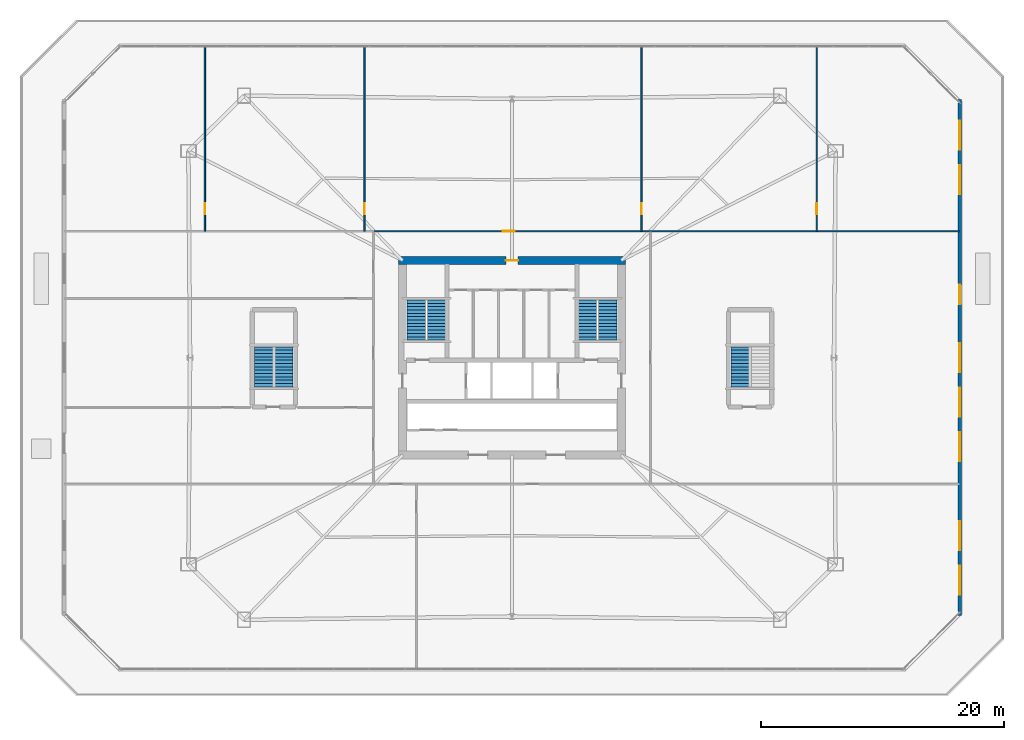
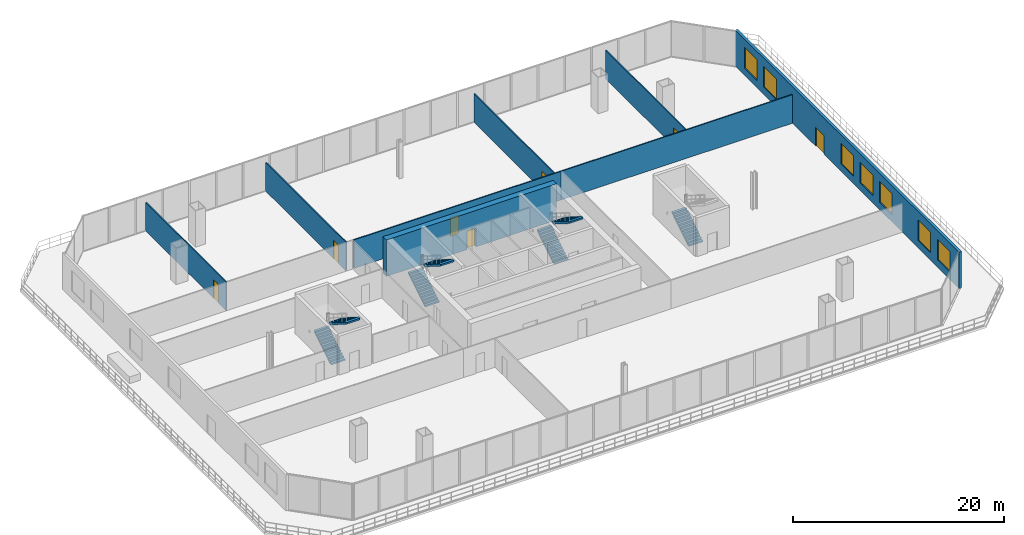
# One storey, part 27 of 31: 8 walls, 7 doors, 7 stair flights, 7 windows, 14 openings, 4 elements without a shape of their own.
"""IFC4 building model written with IfcOpenShell, lengths in metres."""

from ifc_helpers import new_model, si_unit, direction, frame, frame_2d, origin, place, context, subcontext, project, spatial, polyline, rectangle, outline, extrude, material, layer, layer_set, type_object, element, fill, aggregate, save


model = new_model("IFC4")

# Units and contexts
model_context = context("Model", 3, precision=1e-05, world=origin(), true_north=direction((0.0, 1.0)))
body_context = subcontext(model_context, "Body", "Model", "MODEL_VIEW")
ifc_project = project(units=[si_unit("LENGTHUNIT", "METRE"), si_unit("AREAUNIT", "SQUARE_METRE"), si_unit("VOLUMEUNIT", "CUBIC_METRE"), si_unit("PLANEANGLEUNIT", "RADIAN"), si_unit("MASSUNIT", "GRAM", prefix="KILO")], contexts=[model_context])

# Site, building, storey
site_placement = place(None, origin())
site = spatial("IfcSite", under=ifc_project, at=site_placement, CompositionType="ELEMENT")
building_placement = place(site_placement, origin())
building = spatial("IfcBuilding", under=site, at=building_placement, Name="Caelvoria Tower", CompositionType="ELEMENT")
storey_placement = place(building_placement, frame((0.0, 0.0, 9.5)))
storey = spatial("IfcBuildingStorey", under=building, at=storey_placement, Name="L02", CompositionType="ELEMENT", Elevation=9.5)

# Wall, openings, windows, door
ifc_material_1 = material(Name="Precast Concrete C40/50 with Bronze Cladding", Category="concrete")
ifc_layer_1 = layer(ifc_material_1, 0.280029296875, Name="Precast Concrete C40/50 with Bronze Cladding")
ifc_layer_set_1 = layer_set([ifc_layer_1], Name="Exterior Precast Concrete C40/50 Bronze-Clad Facade Wall 280 - Precast Concrete C40/50 with Bronze Cladding")
wall_type_1 = type_object("IfcWallType", Name="Exterior Precast Concrete C40/50 Bronze-Clad Facade Wall 280", PredefinedType="STANDARD", material=ifc_layer_set_1)
wall_1_placement = place(storey_placement, frame((82.860107421875, 10.760009765625, 0.0), z_axis=(0.0, 0.0, 1.0), x_axis=(0.0, 1.0, 0.0)))
wall_1 = element("IfcWall", 1, at=wall_1_placement, inside=storey, type_object=wall_type_1, Name="Exterior Facade Wall L02-E2", PredefinedType="STANDARD", context=body_context, shape_type="SweptSolid", body=[
    extrude(rectangle(XDim=42.47998046875, YDim=0.280029296875, at=frame_2d((21.239990234375, 0.0))), origin(), (0.0, 0.0, 1.0), 4.2099609375),
])
opening_1_placement = place(wall_1_placement, frame((25.639892578125, 0.0, 0.0)))
opening_1 = element("IfcOpeningElement", 2, at=opening_1_placement, cuts=wall_1, Name="Opening ED-03", PredefinedType="OPENING", context=body_context, shape_type="SweptSolid", body=[
    extrude(rectangle(XDim=1.60009765625, YDim=2.14990234375, at=frame_2d((0.800048828125, 1.074951171875))), frame((0.0, 0.14990234375, 0.0), z_axis=(0.0, -1.0, 0.0), x_axis=(1.0, 0.0, 0.0)), (0.0, 0.0, 1.0), 0.300048828125),
])
opening_2_placement = place(wall_1_placement, frame((1.73095703125, 0.0, 0.85009765625)))
opening_2 = element("IfcOpeningElement", 3, at=opening_2_placement, cuts=wall_1, Name="Opening WN-04", PredefinedType="OPENING", context=body_context, shape_type="SweptSolid", body=[
    extrude(rectangle(XDim=2.39990234375, YDim=2.39990234375, at=frame_2d((1.199951171875, 1.199951171875))), frame((0.0, 0.14990234375, 0.0), z_axis=(0.0, -1.0, 0.0), x_axis=(1.0, 0.0, 0.0)), (0.0, 0.0, 1.0), 0.300048828125),
])
opening_3_placement = place(wall_1_placement, frame((5.392578125, 0.0, 0.85009765625)))
opening_3 = element("IfcOpeningElement", 4, at=opening_3_placement, cuts=wall_1, Name="Opening WN-04", PredefinedType="OPENING", context=body_context, shape_type="SweptSolid", body=[
    extrude(rectangle(XDim=2.39990234375, YDim=2.39990234375, at=frame_2d((1.199951171875, 1.199951171875))), frame((0.0, 0.14990234375, 0.0), z_axis=(0.0, -1.0, 0.0), x_axis=(1.0, 0.0, 0.0)), (0.0, 0.0, 1.0), 0.300048828125),
])
opening_4_placement = place(wall_1_placement, frame((12.71630859375, 0.0, 0.85009765625)))
opening_4 = element("IfcOpeningElement", 5, at=opening_4_placement, cuts=wall_1, Name="Opening WN-04", PredefinedType="OPENING", context=body_context, shape_type="SweptSolid", body=[
    extrude(rectangle(XDim=2.39990234375, YDim=2.39990234375, at=frame_2d((1.199951171875, 1.199951171875))), frame((0.0, 0.14990234375, 0.0), z_axis=(0.0, -1.0, 0.0), x_axis=(1.0, 0.0, 0.0)), (0.0, 0.0, 1.0), 0.300048828125),
])
opening_5_placement = place(wall_1_placement, frame((16.378173828125, 0.0, 0.85009765625)))
opening_5 = element("IfcOpeningElement", 6, at=opening_5_placement, cuts=wall_1, Name="Opening WN-04", PredefinedType="OPENING", context=body_context, shape_type="SweptSolid", body=[
    extrude(rectangle(XDim=2.39990234375, YDim=2.39990234375, at=frame_2d((1.199951171875, 1.199951171875))), frame((0.0, 0.14990234375, 0.0), z_axis=(0.0, -1.0, 0.0), x_axis=(1.0, 0.0, 0.0)), (0.0, 0.0, 1.0), 0.300048828125),
])
opening_6_placement = place(wall_1_placement, frame((20.0400390625, 0.0, 0.85009765625)))
opening_6 = element("IfcOpeningElement", 7, at=opening_6_placement, cuts=wall_1, Name="Opening WN-04", PredefinedType="OPENING", context=body_context, shape_type="SweptSolid", body=[
    extrude(rectangle(XDim=2.39990234375, YDim=2.39990234375, at=frame_2d((1.199951171875, 1.199951171875))), frame((0.0, 0.14990234375, 0.0), z_axis=(0.0, -1.0, 0.0), x_axis=(1.0, 0.0, 0.0)), (0.0, 0.0, 1.0), 0.300048828125),
])
opening_7_placement = place(wall_1_placement, frame((34.687255859375, 0.0, 0.85009765625)))
opening_7 = element("IfcOpeningElement", 8, at=opening_7_placement, cuts=wall_1, Name="Opening WN-04", PredefinedType="OPENING", context=body_context, shape_type="SweptSolid", body=[
    extrude(rectangle(XDim=2.39990234375, YDim=2.39990234375, at=frame_2d((1.199951171875, 1.199951171875))), frame((0.0, 0.14990234375, 0.0), z_axis=(0.0, -1.0, 0.0), x_axis=(1.0, 0.0, 0.0)), (0.0, 0.0, 1.0), 0.300048828125),
])
opening_8_placement = place(wall_1_placement, frame((38.34912109375, 0.0, 0.85009765625)))
opening_8 = element("IfcOpeningElement", 9, at=opening_8_placement, cuts=wall_1, Name="Opening WN-04", PredefinedType="OPENING", context=body_context, shape_type="SweptSolid", body=[
    extrude(rectangle(XDim=2.39990234375, YDim=2.39990234375, at=frame_2d((1.199951171875, 1.199951171875))), frame((0.0, 0.14990234375, 0.0), z_axis=(0.0, -1.0, 0.0), x_axis=(1.0, 0.0, 0.0)), (0.0, 0.0, 1.0), 0.300048828125),
])
ifc_material_2 = material(Name="Low-E Tinted Glass in Bronze Aluminium Frame", Category="aluminium")
window_type = type_object("IfcWindowType", Name="Podium Commercial Ribbon Window 2400x2400", PartitioningType="SINGLE_PANEL", PredefinedType="WINDOW", material=ifc_material_2)
window_1_placement = place(opening_2_placement, origin())
window_1 = element("IfcWindow", 10, at=window_1_placement, inside=storey, type_object=window_type, Name="Facade Window L02-E2-00", OverallHeight=2.39990234375, OverallWidth=2.39990234375, PartitioningType="SINGLE_PANEL", PredefinedType="WINDOW", context=body_context, shape_type="SweptSolid", body=[
    extrude(rectangle(XDim=2.39990234375, YDim=2.39990234375, at=frame_2d((1.199951171875, 1.199951171875))), frame((0.0, 0.030029296875, 0.0), z_axis=(0.0, -1.0, 0.0), x_axis=(1.0, 0.0, 0.0)), (0.0, 0.0, 1.0), 0.06005859375),
])
fill(opening_2, window_1)
window_2_placement = place(opening_3_placement, origin())
window_2 = element("IfcWindow", 11, at=window_2_placement, inside=storey, type_object=window_type, Name="Facade Window L02-E2-01", OverallHeight=2.39990234375, OverallWidth=2.39990234375, PartitioningType="SINGLE_PANEL", PredefinedType="WINDOW", context=body_context, shape_type="SweptSolid", body=[
    extrude(rectangle(XDim=2.39990234375, YDim=2.39990234375, at=frame_2d((1.199951171875, 1.199951171875))), frame((0.0, 0.030029296875, 0.0), z_axis=(0.0, -1.0, 0.0), x_axis=(1.0, 0.0, 0.0)), (0.0, 0.0, 1.0), 0.06005859375),
])
fill(opening_3, window_2)
window_3_placement = place(opening_4_placement, origin())
window_3 = element("IfcWindow", 12, at=window_3_placement, inside=storey, type_object=window_type, Name="Facade Window L02-E2-03", OverallHeight=2.39990234375, OverallWidth=2.39990234375, PartitioningType="SINGLE_PANEL", PredefinedType="WINDOW", context=body_context, shape_type="SweptSolid", body=[
    extrude(rectangle(XDim=2.39990234375, YDim=2.39990234375, at=frame_2d((1.199951171875, 1.199951171875))), frame((0.0, 0.030029296875, 0.0), z_axis=(0.0, -1.0, 0.0), x_axis=(1.0, 0.0, 0.0)), (0.0, 0.0, 1.0), 0.06005859375),
])
fill(opening_4, window_3)
window_4_placement = place(opening_5_placement, origin())
window_4 = element("IfcWindow", 13, at=window_4_placement, inside=storey, type_object=window_type, Name="Facade Window L02-E2-04", OverallHeight=2.39990234375, OverallWidth=2.39990234375, PartitioningType="SINGLE_PANEL", PredefinedType="WINDOW", context=body_context, shape_type="SweptSolid", body=[
    extrude(rectangle(XDim=2.39990234375, YDim=2.39990234375, at=frame_2d((1.199951171875, 1.199951171875))), frame((0.0, 0.030029296875, 0.0), z_axis=(0.0, -1.0, 0.0), x_axis=(1.0, 0.0, 0.0)), (0.0, 0.0, 1.0), 0.06005859375),
])
fill(opening_5, window_4)
window_5_placement = place(opening_6_placement, origin())
window_5 = element("IfcWindow", 14, at=window_5_placement, inside=storey, type_object=window_type, Name="Facade Window L02-E2-05", OverallHeight=2.39990234375, OverallWidth=2.39990234375, PartitioningType="SINGLE_PANEL", PredefinedType="WINDOW", context=body_context, shape_type="SweptSolid", body=[
    extrude(rectangle(XDim=2.39990234375, YDim=2.39990234375, at=frame_2d((1.199951171875, 1.199951171875))), frame((0.0, 0.030029296875, 0.0), z_axis=(0.0, -1.0, 0.0), x_axis=(1.0, 0.0, 0.0)), (0.0, 0.0, 1.0), 0.06005859375),
])
fill(opening_6, window_5)
window_6_placement = place(opening_7_placement, origin())
window_6 = element("IfcWindow", 15, at=window_6_placement, inside=storey, type_object=window_type, Name="Facade Window L02-E2-09", OverallHeight=2.39990234375, OverallWidth=2.39990234375, PartitioningType="SINGLE_PANEL", PredefinedType="WINDOW", context=body_context, shape_type="SweptSolid", body=[
    extrude(rectangle(XDim=2.39990234375, YDim=2.39990234375, at=frame_2d((1.199951171875, 1.199951171875))), frame((0.0, 0.030029296875, 0.0), z_axis=(0.0, -1.0, 0.0), x_axis=(1.0, 0.0, 0.0)), (0.0, 0.0, 1.0), 0.06005859375),
])
fill(opening_7, window_6)
window_7_placement = place(opening_8_placement, origin())
window_7 = element("IfcWindow", 16, at=window_7_placement, inside=storey, type_object=window_type, Name="Facade Window L02-E2-10", OverallHeight=2.39990234375, OverallWidth=2.39990234375, PartitioningType="SINGLE_PANEL", PredefinedType="WINDOW", context=body_context, shape_type="SweptSolid", body=[
    extrude(rectangle(XDim=2.39990234375, YDim=2.39990234375, at=frame_2d((1.199951171875, 1.199951171875))), frame((0.0, 0.030029296875, 0.0), z_axis=(0.0, -1.0, 0.0), x_axis=(1.0, 0.0, 0.0)), (0.0, 0.0, 1.0), 0.06005859375),
])
fill(opening_8, window_7)
ifc_material_3 = material(Name="Anodised Bronze Aluminium and Laminated Glass", Category="aluminium")
door_type_1 = type_object("IfcDoorType", Name="Terrace Garden Double Glazed Door 1600x2150", OperationType="NOTDEFINED", PredefinedType="DOOR", material=ifc_material_3)
door_1_placement = place(opening_1_placement, origin())
door_1 = element("IfcDoor", 17, at=door_1_placement, inside=storey, type_object=door_type_1, Name="Terrace Roof Garden Door L02-E", OperationType="DOUBLE_DOOR_SINGLE_SWING", OverallHeight=2.14990234375, OverallWidth=1.60009765625, PredefinedType="DOOR", context=body_context, shape_type="SweptSolid", body=[
    extrude(rectangle(XDim=1.60009765625, YDim=2.14990234375, at=frame_2d((0.800048828125, 1.074951171875))), frame((0.0, 0.02490234375, 0.0), z_axis=(0.0, -1.0, 0.0), x_axis=(1.0, 0.0, 0.0)), (0.0, 0.0, 1.0), 0.050048828125),
])
fill(opening_1, door_1)

# Wall, opening, door
ifc_material_4 = material(Name="Concrete C60/75", Category="concrete")
ifc_layer_2 = layer(ifc_material_4, 0.64990234375, Name="Concrete C60/75")
ifc_layer_set_2 = layer_set([ifc_layer_2], Name="Lower Core Shear Wall 650 - Concrete C60/75")
wall_type_2 = type_object("IfcWallType", Name="Lower Core Shear Wall 650", PredefinedType="SHEAR", material=ifc_layer_set_2)
wall_2_placement = place(storey_placement, frame((36.675048828125, 40.0, 0.0), z_axis=(0.0, 0.0, 1.0), x_axis=(1.0, 0.0, 0.0)))
wall_2 = element("IfcWall", 18, at=wall_2_placement, inside=storey, type_object=wall_type_2, Name="Core Shear Wall L02 N", PredefinedType="SHEAR", context=body_context, shape_type="SweptSolid", body=[
    extrude(rectangle(XDim=18.64990234375, YDim=0.64990234375, at=frame_2d((9.324951171875, 0.0))), origin(), (0.0, 0.0, 1.0), 4.219970703125),
])
opening_9_placement = place(wall_2_placement, frame((8.824951171875, 0.0, 0.0)))
opening_9 = element("IfcOpeningElement", 19, at=opening_9_placement, cuts=wall_2, Name="Opening ID-03", PredefinedType="OPENING", context=body_context, shape_type="SweptSolid", body=[
    extrude(rectangle(XDim=1.0, YDim=2.14990234375, at=frame_2d((0.5, 1.074951171875))), frame((0.0, 0.3349609375, 0.0), z_axis=(0.0, -1.0, 0.0), x_axis=(1.0, 0.0, 0.0)), (0.0, 0.0, 1.0), 0.669921875),
])
ifc_material_5 = material(Name="Painted Hollow Steel Fire Door", Category="steel")
door_type_2 = type_object("IfcDoorType", Name="Fire Door FD60S 1000x2150", OperationType="NOTDEFINED", PredefinedType="DOOR", material=ifc_material_5)
door_2_placement = place(opening_9_placement, origin())
door_2 = element("IfcDoor", 20, at=door_2_placement, inside=storey, type_object=door_type_2, Name="Core Door DR-L02-WC-MAIN", OperationType="SINGLE_SWING_RIGHT", OverallHeight=2.14990234375, OverallWidth=1.0, PredefinedType="DOOR", context=body_context, shape_type="SweptSolid", body=[
    extrude(rectangle(XDim=1.0, YDim=2.14990234375, at=frame_2d((0.5, 1.074951171875))), frame((0.0, 0.02490234375, 0.0), z_axis=(0.0, -1.0, 0.0), x_axis=(1.0, 0.0, 0.0)), (0.0, 0.0, 1.0), 0.050048828125),
])
fill(opening_9, door_2)

ifc_material_6 = material(Name="Acoustic Gypsum Board on Light-Gauge Stud", Category="gypsum")
ifc_layer_3 = layer(ifc_material_6, 0.1201171875, Name="Acoustic Gypsum Board on Light-Gauge Stud")
ifc_layer_set_3 = layer_set([ifc_layer_3], Name="Tenant Suite Acoustic Partition Wall 120 - Acoustic Gypsum Board on Light-Gauge Stud")
wall_type_3 = type_object("IfcWallType", Name="Tenant Suite Acoustic Partition Wall 120", PredefinedType="PARTITIONING", material=ifc_layer_set_3)
wall_3_placement = place(storey_placement, frame((20.721923828125, 42.409912109375, 0.0), z_axis=(0.0, 0.0, 1.0), x_axis=(0.0, 1.0, 0.0)))
wall_3 = element("IfcWall", 21, at=wall_3_placement, inside=storey, type_object=wall_type_3, Name="Interior Partition IW-L02-ND-00-0", PredefinedType="PARTITIONING", context=body_context, shape_type="SweptSolid", body=[
    extrude(rectangle(XDim=15.210205078125, YDim=0.1201171875, at=frame_2d((7.60498046875, 0.0))), origin(), (0.0, 0.0, 1.0), 3.31005859375),
])
opening_10_placement = place(wall_3_placement, frame((1.39990234375, 0.0, 0.0)))
opening_10 = element("IfcOpeningElement", 22, at=opening_10_placement, cuts=wall_3, Name="Opening ID-06", PredefinedType="OPENING", context=body_context, shape_type="SweptSolid", body=[
    extrude(rectangle(XDim=0.89990234375, YDim=2.14990234375, at=frame_2d((0.449951171875, 1.074951171875))), frame((0.0, 0.070068359375, 0.0), z_axis=(0.0, -1.0, 0.0), x_axis=(1.0, 0.0, 0.0)), (0.0, 0.0, 1.0), 0.14013671875),
])
ifc_material_7 = material(Name="Engineered Andean Oak Veneer Door", Category="wood")
door_type_3 = type_object("IfcDoorType", Name="Interior Timber Door 900x2150", OperationType="NOTDEFINED", PredefinedType="DOOR", material=ifc_material_7)
door_3_placement = place(opening_10_placement, origin())
door_3 = element("IfcDoor", 23, at=door_3_placement, inside=storey, type_object=door_type_3, Name="Interior Door DR-L02-NM-00-0", OperationType="SINGLE_SWING_RIGHT", OverallHeight=2.14990234375, OverallWidth=0.89990234375, PredefinedType="DOOR", context=body_context, shape_type="SweptSolid", body=[
    extrude(rectangle(XDim=0.89990234375, YDim=2.14990234375, at=frame_2d((0.449951171875, 1.074951171875))), frame((0.0, 0.02490234375, 0.0), z_axis=(0.0, -1.0, 0.0), x_axis=(1.0, 0.0, 0.0)), (0.0, 0.0, 1.0), 0.050048828125),
])
fill(opening_10, door_3)

wall_4_placement = place(storey_placement, frame((33.867431640625, 42.409912109375, 0.0), z_axis=(0.0, 0.0, 1.0), x_axis=(0.0, 1.0, 0.0)))
wall_4 = element("IfcWall", 24, at=wall_4_placement, inside=storey, type_object=wall_type_3, Name="Interior Partition IW-L02-ND-01-0", PredefinedType="PARTITIONING", context=body_context, shape_type="SweptSolid", body=[
    extrude(rectangle(XDim=15.210205078125, YDim=0.1201171875, at=frame_2d((7.60498046875, 0.0))), origin(), (0.0, 0.0, 1.0), 3.31005859375),
])
opening_11_placement = place(wall_4_placement, frame((1.39990234375, 0.0, 0.0)))
opening_11 = element("IfcOpeningElement", 25, at=opening_11_placement, cuts=wall_4, Name="Opening ID-06", PredefinedType="OPENING", context=body_context, shape_type="SweptSolid", body=[
    extrude(rectangle(XDim=0.89990234375, YDim=2.14990234375, at=frame_2d((0.449951171875, 1.074951171875))), frame((0.0, 0.070068359375, 0.0), z_axis=(0.0, -1.0, 0.0), x_axis=(1.0, 0.0, 0.0)), (0.0, 0.0, 1.0), 0.14013671875),
])
door_4_placement = place(opening_11_placement, origin())
door_4 = element("IfcDoor", 26, at=door_4_placement, inside=storey, type_object=door_type_3, Name="Interior Door DR-L02-NM-01-0", OperationType="SINGLE_SWING_LEFT", OverallHeight=2.14990234375, OverallWidth=0.89990234375, PredefinedType="DOOR", context=body_context, shape_type="SweptSolid", body=[
    extrude(rectangle(XDim=0.89990234375, YDim=2.14990234375, at=frame_2d((0.449951171875, 1.074951171875))), frame((0.0, 0.02490234375, 0.0), z_axis=(0.0, -1.0, 0.0), x_axis=(1.0, 0.0, 0.0)), (0.0, 0.0, 1.0), 0.050048828125),
])
fill(opening_11, door_4)

wall_5_placement = place(storey_placement, frame((56.674072265625, 42.409912109375, 0.0), z_axis=(0.0, 0.0, 1.0), x_axis=(0.0, 1.0, 0.0)))
wall_5 = element("IfcWall", 27, at=wall_5_placement, inside=storey, type_object=wall_type_3, Name="Interior Partition IW-L02-ND-02-0", PredefinedType="PARTITIONING", context=body_context, shape_type="SweptSolid", body=[
    extrude(rectangle(XDim=15.210205078125, YDim=0.1201171875, at=frame_2d((7.60498046875, 0.0))), origin(), (0.0, 0.0, 1.0), 3.31005859375),
])
opening_12_placement = place(wall_5_placement, frame((1.39990234375, 0.0, 0.0)))
opening_12 = element("IfcOpeningElement", 28, at=opening_12_placement, cuts=wall_5, Name="Opening ID-06", PredefinedType="OPENING", context=body_context, shape_type="SweptSolid", body=[
    extrude(rectangle(XDim=0.89990234375, YDim=2.14990234375, at=frame_2d((0.449951171875, 1.074951171875))), frame((0.0, 0.070068359375, 0.0), z_axis=(0.0, -1.0, 0.0), x_axis=(1.0, 0.0, 0.0)), (0.0, 0.0, 1.0), 0.14013671875),
])
door_5_placement = place(opening_12_placement, origin())
door_5 = element("IfcDoor", 29, at=door_5_placement, inside=storey, type_object=door_type_3, Name="Interior Door DR-L02-NM-02-0", OperationType="SINGLE_SWING_RIGHT", OverallHeight=2.14990234375, OverallWidth=0.89990234375, PredefinedType="DOOR", context=body_context, shape_type="SweptSolid", body=[
    extrude(rectangle(XDim=0.89990234375, YDim=2.14990234375, at=frame_2d((0.449951171875, 1.074951171875))), frame((0.0, 0.02490234375, 0.0), z_axis=(0.0, -1.0, 0.0), x_axis=(1.0, 0.0, 0.0)), (0.0, 0.0, 1.0), 0.050048828125),
])
fill(opening_12, door_5)

wall_6_placement = place(storey_placement, frame((71.086669921875, 42.409912109375, 0.0), z_axis=(0.0, 0.0, 1.0), x_axis=(0.0, 1.0, 0.0)))
wall_6 = element("IfcWall", 30, at=wall_6_placement, inside=storey, type_object=wall_type_3, Name="Interior Partition IW-L02-ND-03-0", PredefinedType="PARTITIONING", context=body_context, shape_type="SweptSolid", body=[
    extrude(rectangle(XDim=15.210205078125, YDim=0.1201171875, at=frame_2d((7.60498046875, 0.0))), origin(), (0.0, 0.0, 1.0), 3.31005859375),
])
opening_13_placement = place(wall_6_placement, frame((1.39990234375, 0.0, 0.0)))
opening_13 = element("IfcOpeningElement", 31, at=opening_13_placement, cuts=wall_6, Name="Opening ID-06", PredefinedType="OPENING", context=body_context, shape_type="SweptSolid", body=[
    extrude(rectangle(XDim=0.89990234375, YDim=2.14990234375, at=frame_2d((0.449951171875, 1.074951171875))), frame((0.0, 0.070068359375, 0.0), z_axis=(0.0, -1.0, 0.0), x_axis=(1.0, 0.0, 0.0)), (0.0, 0.0, 1.0), 0.14013671875),
])
door_6_placement = place(opening_13_placement, origin())
door_6 = element("IfcDoor", 32, at=door_6_placement, inside=storey, type_object=door_type_3, Name="Interior Door DR-L02-NM-03-0", OperationType="SINGLE_SWING_LEFT", OverallHeight=2.14990234375, OverallWidth=0.89990234375, PredefinedType="DOOR", context=body_context, shape_type="SweptSolid", body=[
    extrude(rectangle(XDim=0.89990234375, YDim=2.14990234375, at=frame_2d((0.449951171875, 1.074951171875))), frame((0.0, 0.02490234375, 0.0), z_axis=(0.0, -1.0, 0.0), x_axis=(1.0, 0.0, 0.0)), (0.0, 0.0, 1.0), 0.050048828125),
])
fill(opening_13, door_6)

wall_7_placement = place(storey_placement, frame((34.64990234375, 42.409912109375, 0.0), z_axis=(0.0, 0.0, 1.0), x_axis=(1.0, 0.0, 0.0)))
wall_7 = element("IfcWall", 33, at=wall_7_placement, inside=storey, type_object=wall_type_3, Name="Interior Partition IW-L02-NCW-0", PredefinedType="PARTITIONING", context=body_context, shape_type="SweptSolid", body=[
    extrude(rectangle(XDim=22.7001953125, YDim=0.1201171875, at=frame_2d((11.35009765625, 0.0))), origin(), (0.0, 0.0, 1.0), 3.31005859375),
])
opening_14_placement = place(wall_7_placement, frame((10.607177734375, 0.0, 0.0)))
opening_14 = element("IfcOpeningElement", 34, at=opening_14_placement, cuts=wall_7, Name="Opening ID-05", PredefinedType="OPENING", context=body_context, shape_type="SweptSolid", body=[
    extrude(rectangle(XDim=0.949951171875, YDim=2.14990234375, at=frame_2d((0.47509765625, 1.074951171875))), frame((0.0, 0.070068359375, 0.0), z_axis=(0.0, -1.0, 0.0), x_axis=(1.0, 0.0, 0.0)), (0.0, 0.0, 1.0), 0.14013671875),
])
door_type_4 = type_object("IfcDoorType", Name="Interior Timber Door 950x2150", OperationType="NOTDEFINED", PredefinedType="DOOR", material=ifc_material_7)
door_7_placement = place(opening_14_placement, origin())
door_7 = element("IfcDoor", 35, at=door_7_placement, inside=storey, type_object=door_type_4, Name="Interior Door DR-L02-NC-02-0", OperationType="SINGLE_SWING_LEFT", OverallHeight=2.14990234375, OverallWidth=0.949951171875, PredefinedType="DOOR", context=body_context, shape_type="SweptSolid", body=[
    extrude(rectangle(XDim=0.949951171875, YDim=2.14990234375, at=frame_2d((0.47509765625, 1.074951171875))), frame((0.0, 0.02490234375, 0.0), z_axis=(0.0, -1.0, 0.0), x_axis=(1.0, 0.0, 0.0)), (0.0, 0.0, 1.0), 0.050048828125),
])
fill(opening_14, door_7)

# Wall
wall_8_placement = place(storey_placement, frame((57.35009765625, 42.409912109375, 0.0), z_axis=(0.0, 0.0, 1.0), x_axis=(1.0, 0.0, 0.0)))
element("IfcWall", 36, at=wall_8_placement, inside=storey, type_object=wall_type_3, Name="Interior Partition IW-L02-BNE-0", PredefinedType="PARTITIONING", context=body_context, shape_type="SweptSolid", body=[
    extrude(rectangle(XDim=25.469970703125, YDim=0.1201171875, at=frame_2d((12.73486328125, 0.0))), origin(), (0.0, 0.0, 1.0), 3.31005859375),
])

# Stair, stair flights
ifc_material_8 = material(Name="Concrete C40/50", Category="concrete")
stair_type = type_object("IfcStairType", Name="Core Smokeproof Dogleg Stair Concrete C40/50", PredefinedType="HALF_TURN_STAIR", material=ifc_material_8)
stair_1_placement = place(storey_placement, origin())
stair_1 = element("IfcStair", 37, at=stair_1_placement, inside=storey, type_object=stair_type, Name="ST-01 Smokeproof Exit Stair L02", PredefinedType="HALF_TURN_STAIR")
ifc_material_9 = material(Name="Precast Concrete C40/50", Category="concrete")
stair_flight_type = type_object("IfcStairFlightType", Name="Precast Concrete C40/50 Stair Flight 1480", PredefinedType="STRAIGHT", material=ifc_material_9)
stair_flight_1_placement = place(storey_placement, frame((38.1298828125, 33.449951171875, 0.0), z_axis=(0.0, 0.0, 1.0), x_axis=(0.0, 1.0, 0.0)))
stair_flight_1 = element("IfcStairFlight", 38, at=stair_flight_1_placement, type_object=stair_flight_type, Name="ST-01 flight 1", NumberOfRisers=13, NumberOfTreads=12, PredefinedType="STRAIGHT", RiserHeight=0.1731, TreadLength=0.275, context=body_context, shape_type="SweptSolid", body=[
    extrude(outline(polyline([(0.0, 0.0), (0.0, 0.173095703125), (0.27490234375, 0.173095703125), (0.27490234375, 0.34619140625), (0.550048828125, 0.34619140625), (0.550048828125, 0.519287109375), (0.824951171875, 0.519287109375), (0.824951171875, 0.6923828125), (1.10009765625, 0.6923828125), (1.10009765625, 0.865478515625), (1.375, 0.865478515625), (1.375, 1.03857421875), (1.64990234375, 1.03857421875), (1.64990234375, 1.211669921875), (1.925048828125, 1.211669921875), (1.925048828125, 1.384765625), (2.199951171875, 1.384765625), (2.199951171875, 1.557861328125), (2.47509765625, 1.557861328125), (2.47509765625, 1.73095703125), (2.75, 1.73095703125), (2.75, 1.904052734375), (3.02490234375, 1.904052734375), (3.02490234375, 2.0771484375), (3.300048828125, 2.0771484375), (3.300048828125, 2.250244140625), (3.300048828125, 1.88818359375), (0.30029296875, 0.0), (0.0, 0.0)])), frame((0.0, 0.77001953125, 0.0), z_axis=(0.0, -1.0, 0.0), x_axis=(1.0, 0.0, 0.0)), (0.0, 0.0, 1.0), 1.5400390625),
])
stair_flight_2_placement = place(storey_placement, frame((39.77001953125, 36.75, 2.25), z_axis=(0.0, 0.0, 1.0), x_axis=(0.0, -1.0, 0.0)))
stair_flight_2 = element("IfcStairFlight", 39, at=stair_flight_2_placement, type_object=stair_flight_type, Name="ST-01 flight 2", NumberOfRisers=13, NumberOfTreads=12, PredefinedType="STRAIGHT", RiserHeight=0.1731, TreadLength=0.275, context=body_context, shape_type="SweptSolid", body=[
    extrude(outline(polyline([(0.0, 0.0), (0.0, 0.173095703125), (0.27490234375, 0.173095703125), (0.27490234375, 0.34619140625), (0.550048828125, 0.34619140625), (0.550048828125, 0.519287109375), (0.824951171875, 0.519287109375), (0.824951171875, 0.6923828125), (1.10009765625, 0.6923828125), (1.10009765625, 0.865478515625), (1.375, 0.865478515625), (1.375, 1.03857421875), (1.64990234375, 1.03857421875), (1.64990234375, 1.211669921875), (1.925048828125, 1.211669921875), (1.925048828125, 1.384765625), (2.199951171875, 1.384765625), (2.199951171875, 1.557861328125), (2.47509765625, 1.557861328125), (2.47509765625, 1.73095703125), (2.75, 1.73095703125), (2.75, 1.904052734375), (3.02490234375, 1.904052734375), (3.02490234375, 2.0771484375), (3.300048828125, 2.0771484375), (3.300048828125, 2.250244140625), (3.300048828125, 1.88818359375), (0.30029296875, 0.0), (0.0, 0.0)])), frame((0.0, 0.77001953125, 0.0), z_axis=(0.0, -1.0, 0.0), x_axis=(1.0, 0.0, 0.0)), (0.0, 0.0, 1.0), 1.5400390625),
])
aggregate(stair_1, [stair_flight_1, stair_flight_2])

stair_2_placement = place(storey_placement, origin())
stair_2 = element("IfcStair", 40, at=stair_2_placement, inside=storey, type_object=stair_type, Name="ST-02 Smokeproof Exit Stair L02", PredefinedType="HALF_TURN_STAIR")
stair_flight_3_placement = place(storey_placement, frame((52.22998046875, 33.449951171875, 0.0), z_axis=(0.0, 0.0, 1.0), x_axis=(0.0, 1.0, 0.0)))
stair_flight_3 = element("IfcStairFlight", 41, at=stair_flight_3_placement, type_object=stair_flight_type, Name="ST-02 flight 1", NumberOfRisers=13, NumberOfTreads=12, PredefinedType="STRAIGHT", RiserHeight=0.1731, TreadLength=0.275, context=body_context, shape_type="SweptSolid", body=[
    extrude(outline(polyline([(0.0, 0.0), (0.0, 0.173095703125), (0.27490234375, 0.173095703125), (0.27490234375, 0.34619140625), (0.550048828125, 0.34619140625), (0.550048828125, 0.519287109375), (0.824951171875, 0.519287109375), (0.824951171875, 0.6923828125), (1.10009765625, 0.6923828125), (1.10009765625, 0.865478515625), (1.375, 0.865478515625), (1.375, 1.03857421875), (1.64990234375, 1.03857421875), (1.64990234375, 1.211669921875), (1.925048828125, 1.211669921875), (1.925048828125, 1.384765625), (2.199951171875, 1.384765625), (2.199951171875, 1.557861328125), (2.47509765625, 1.557861328125), (2.47509765625, 1.73095703125), (2.75, 1.73095703125), (2.75, 1.904052734375), (3.02490234375, 1.904052734375), (3.02490234375, 2.0771484375), (3.300048828125, 2.0771484375), (3.300048828125, 2.250244140625), (3.300048828125, 1.88818359375), (0.30029296875, 0.0), (0.0, 0.0)])), frame((0.0, 0.77001953125, 0.0), z_axis=(0.0, -1.0, 0.0), x_axis=(1.0, 0.0, 0.0)), (0.0, 0.0, 1.0), 1.5400390625),
])
stair_flight_4_placement = place(storey_placement, frame((53.8701171875, 36.75, 2.25), z_axis=(0.0, 0.0, 1.0), x_axis=(0.0, -1.0, 0.0)))
stair_flight_4 = element("IfcStairFlight", 42, at=stair_flight_4_placement, type_object=stair_flight_type, Name="ST-02 flight 2", NumberOfRisers=13, NumberOfTreads=12, PredefinedType="STRAIGHT", RiserHeight=0.1731, TreadLength=0.275, context=body_context, shape_type="SweptSolid", body=[
    extrude(outline(polyline([(0.0, 0.0), (0.0, 0.173095703125), (0.27490234375, 0.173095703125), (0.27490234375, 0.34619140625), (0.550048828125, 0.34619140625), (0.550048828125, 0.519287109375), (0.824951171875, 0.519287109375), (0.824951171875, 0.6923828125), (1.10009765625, 0.6923828125), (1.10009765625, 0.865478515625), (1.375, 0.865478515625), (1.375, 1.03857421875), (1.64990234375, 1.03857421875), (1.64990234375, 1.211669921875), (1.925048828125, 1.211669921875), (1.925048828125, 1.384765625), (2.199951171875, 1.384765625), (2.199951171875, 1.557861328125), (2.47509765625, 1.557861328125), (2.47509765625, 1.73095703125), (2.75, 1.73095703125), (2.75, 1.904052734375), (3.02490234375, 1.904052734375), (3.02490234375, 2.0771484375), (3.300048828125, 2.0771484375), (3.300048828125, 2.250244140625), (3.300048828125, 1.88818359375), (0.30029296875, 0.0), (0.0, 0.0)])), frame((0.0, 0.77001953125, 0.0), z_axis=(0.0, -1.0, 0.0), x_axis=(1.0, 0.0, 0.0)), (0.0, 0.0, 1.0), 1.5400390625),
])
aggregate(stair_2, [stair_flight_3, stair_flight_4])

stair_3_placement = place(storey_placement, origin())
stair_3 = element("IfcStair", 43, at=stair_3_placement, inside=storey, type_object=stair_type, Name="ST-03 Smokeproof Exit Stair L02", PredefinedType="HALF_TURN_STAIR")
stair_flight_5_placement = place(storey_placement, frame((25.580078125, 29.60009765625, 0.0), z_axis=(0.0, 0.0, 1.0), x_axis=(0.0, 1.0, 0.0)))
stair_flight_5 = element("IfcStairFlight", 44, at=stair_flight_5_placement, type_object=stair_flight_type, Name="ST-03 flight 1", NumberOfRisers=13, NumberOfTreads=12, PredefinedType="STRAIGHT", RiserHeight=0.1731, TreadLength=0.275, context=body_context, shape_type="SweptSolid", body=[
    extrude(outline(polyline([(0.0, 0.0), (0.0, 0.173095703125), (0.27490234375, 0.173095703125), (0.27490234375, 0.34619140625), (0.550048828125, 0.34619140625), (0.550048828125, 0.519287109375), (0.824951171875, 0.519287109375), (0.824951171875, 0.6923828125), (1.10009765625, 0.6923828125), (1.10009765625, 0.865478515625), (1.375, 0.865478515625), (1.375, 1.03857421875), (1.64990234375, 1.03857421875), (1.64990234375, 1.211669921875), (1.925048828125, 1.211669921875), (1.925048828125, 1.384765625), (2.199951171875, 1.384765625), (2.199951171875, 1.557861328125), (2.47509765625, 1.557861328125), (2.47509765625, 1.73095703125), (2.75, 1.73095703125), (2.75, 1.904052734375), (3.02490234375, 1.904052734375), (3.02490234375, 2.0771484375), (3.300048828125, 2.0771484375), (3.300048828125, 2.250244140625), (3.300048828125, 1.88818359375), (0.30029296875, 0.0), (0.0, 0.0)])), frame((0.0, 0.77001953125, 0.0), z_axis=(0.0, -1.0, 0.0), x_axis=(1.0, 0.0, 0.0)), (0.0, 0.0, 1.0), 1.5400390625),
])
stair_flight_6_placement = place(storey_placement, frame((27.219970703125, 32.89990234375, 2.25), z_axis=(0.0, 0.0, 1.0), x_axis=(0.0, -1.0, 0.0)))
stair_flight_6 = element("IfcStairFlight", 45, at=stair_flight_6_placement, type_object=stair_flight_type, Name="ST-03 flight 2", NumberOfRisers=13, NumberOfTreads=12, PredefinedType="STRAIGHT", RiserHeight=0.1731, TreadLength=0.275, context=body_context, shape_type="SweptSolid", body=[
    extrude(outline(polyline([(0.0, 0.0), (0.0, 0.173095703125), (0.27490234375, 0.173095703125), (0.27490234375, 0.34619140625), (0.550048828125, 0.34619140625), (0.550048828125, 0.519287109375), (0.824951171875, 0.519287109375), (0.824951171875, 0.6923828125), (1.10009765625, 0.6923828125), (1.10009765625, 0.865478515625), (1.375, 0.865478515625), (1.375, 1.03857421875), (1.64990234375, 1.03857421875), (1.64990234375, 1.211669921875), (1.925048828125, 1.211669921875), (1.925048828125, 1.384765625), (2.199951171875, 1.384765625), (2.199951171875, 1.557861328125), (2.47509765625, 1.557861328125), (2.47509765625, 1.73095703125), (2.75, 1.73095703125), (2.75, 1.904052734375), (3.02490234375, 1.904052734375), (3.02490234375, 2.0771484375), (3.300048828125, 2.0771484375), (3.300048828125, 2.250244140625), (3.300048828125, 1.88818359375), (0.30029296875, 0.0), (0.0, 0.0)])), frame((0.0, 0.77001953125, 0.0), z_axis=(0.0, -1.0, 0.0), x_axis=(1.0, 0.0, 0.0)), (0.0, 0.0, 1.0), 1.5400390625),
])
aggregate(stair_3, [stair_flight_5, stair_flight_6])

# Stair, stair flight
stair_4_placement = place(storey_placement, origin())
stair_4 = element("IfcStair", 46, at=stair_4_placement, inside=storey, type_object=stair_type, Name="ST-04 Smokeproof Exit Stair L02", PredefinedType="HALF_TURN_STAIR")
stair_flight_7_placement = place(storey_placement, frame((64.780029296875, 29.60009765625, 0.0), z_axis=(0.0, 0.0, 1.0), x_axis=(0.0, 1.0, 0.0)))
stair_flight_7 = element("IfcStairFlight", 47, at=stair_flight_7_placement, type_object=stair_flight_type, Name="ST-04 flight 1", NumberOfRisers=13, NumberOfTreads=12, PredefinedType="STRAIGHT", RiserHeight=0.1731, TreadLength=0.275, context=body_context, shape_type="SweptSolid", body=[
    extrude(outline(polyline([(0.0, 0.0), (0.0, 0.173095703125), (0.27490234375, 0.173095703125), (0.27490234375, 0.34619140625), (0.550048828125, 0.34619140625), (0.550048828125, 0.519287109375), (0.824951171875, 0.519287109375), (0.824951171875, 0.6923828125), (1.10009765625, 0.6923828125), (1.10009765625, 0.865478515625), (1.375, 0.865478515625), (1.375, 1.03857421875), (1.64990234375, 1.03857421875), (1.64990234375, 1.211669921875), (1.925048828125, 1.211669921875), (1.925048828125, 1.384765625), (2.199951171875, 1.384765625), (2.199951171875, 1.557861328125), (2.47509765625, 1.557861328125), (2.47509765625, 1.73095703125), (2.75, 1.73095703125), (2.75, 1.904052734375), (3.02490234375, 1.904052734375), (3.02490234375, 2.0771484375), (3.300048828125, 2.0771484375), (3.300048828125, 2.250244140625), (3.300048828125, 1.88818359375), (0.30029296875, 0.0), (0.0, 0.0)])), frame((0.0, 0.77001953125, 0.0), z_axis=(0.0, -1.0, 0.0), x_axis=(1.0, 0.0, 0.0)), (0.0, 0.0, 1.0), 1.5400390625),
])
aggregate(stair_4, [stair_flight_7])

save(model, "model.ifc")
